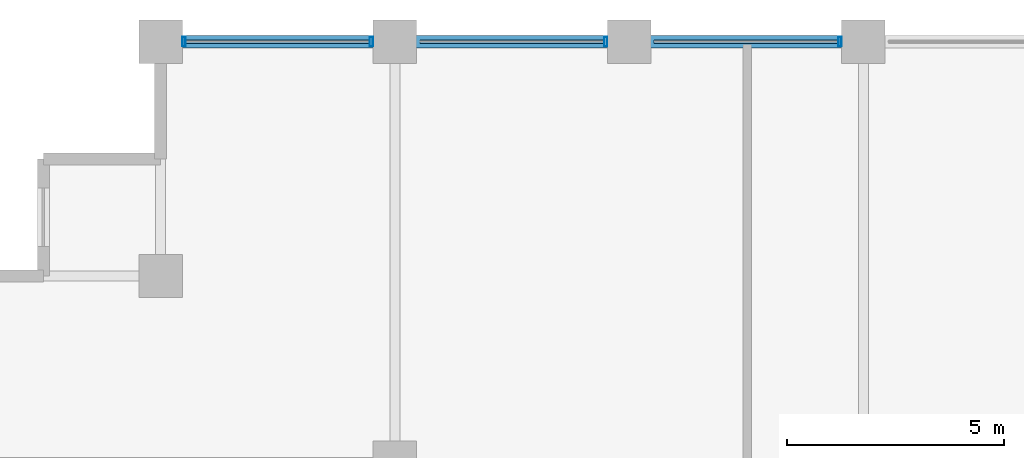
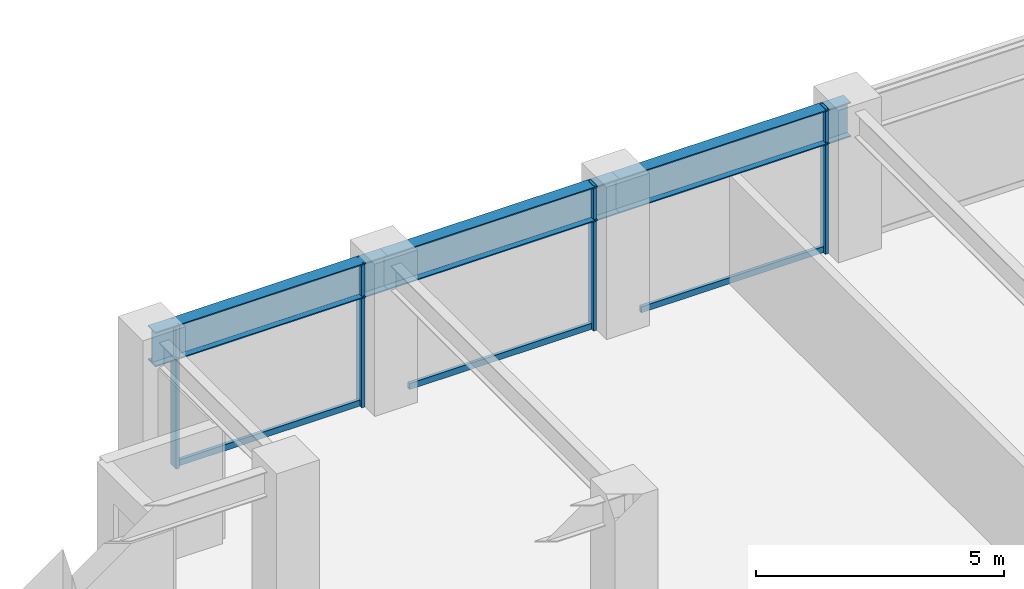
# One storey, part 13 of 26: 7 members, 3 beams, 1 element without a shape of its own.
"""IFC4 building model written with IfcOpenShell, lengths in metres."""

from ifc_helpers import new_model, si_unit, direction, frame, origin, origin_2d, place, context, subcontext, project, spatial, hollow_rectangle, i_section, extrude, material, layer, layer_set, material_profile, profile_set, type_object, element, aggregate, save


model = new_model("IFC4")

# Units and contexts
model_context = context("Model", 3, precision=1e-05, world=origin(), true_north=direction((0.0, 1.0)))
body_context = subcontext(model_context, "Body", "Model", "MODEL_VIEW")
ifc_project = project(units=[si_unit("LENGTHUNIT", "METRE"), si_unit("AREAUNIT", "SQUARE_METRE"), si_unit("VOLUMEUNIT", "CUBIC_METRE"), si_unit("PLANEANGLEUNIT", "RADIAN"), si_unit("MASSUNIT", "GRAM", prefix="KILO")], contexts=[model_context])

# Site, building, storey
site_placement = place(None, origin())
site = spatial("IfcSite", under=ifc_project, at=site_placement, CompositionType="ELEMENT")
building_placement = place(site_placement, origin())
building = spatial("IfcBuilding", under=site, at=building_placement, Name="Surkhivell Harbour Commons", CompositionType="ELEMENT")
storey_placement = place(building_placement, frame((0.0, 0.0, 147.0)))
storey = spatial("IfcBuildingStorey", under=building, at=storey_placement, Name="L38", CompositionType="ELEMENT", Elevation=147.0)

# Beams
ifc_material_1 = material(Name="Steel S460", Category="steel")
ifc_material_profile_1 = material_profile(ifc_material_1, i_section(OverallWidth=0.2939453125, OverallDepth=0.85107421875, WebThickness=0.01611328125, FlangeThickness=0.02685546875, at=origin_2d()), Name="UB838x292x226")
ifc_profile_set_1 = profile_set([ifc_material_profile_1], Name="Steel S460")
beam_type = type_object("IfcBeamType", Name="BM-SPN-838", PredefinedType="SPANDREL", material=ifc_profile_set_1)
beam_1_placement = place(storey_placement, frame((-27.0, 25.89990234375, 3.14453125), z_axis=(1.0, 0.0, 0.0), x_axis=(0.0, 1.0, 0.0)))
element("IfcBeam", 1, at=beam_1_placement, inside=storey, type_object=beam_type, Name="L38 Tube Spandrel (-27.0,25.9)", PredefinedType="SPANDREL", context=body_context, shape_type="SweptSolid", body=[
    extrude(i_section(OverallWidth=0.2939453125, OverallDepth=0.85107421875, WebThickness=0.01611328125, FlangeThickness=0.02685546875, at=origin_2d()), origin(), (0.0, 0.0, 1.0), 5.39990234375),
])
beam_2_placement = place(storey_placement, frame((-21.60009765625, 25.89990234375, 3.14453125), z_axis=(1.0, 0.0, 0.0), x_axis=(0.0, 1.0, 0.0)))
element("IfcBeam", 2, at=beam_2_placement, inside=storey, type_object=beam_type, Name="L38 Tube Spandrel (-21.6,25.9)", PredefinedType="SPANDREL", context=body_context, shape_type="SweptSolid", body=[
    extrude(i_section(OverallWidth=0.2939453125, OverallDepth=0.85107421875, WebThickness=0.01611328125, FlangeThickness=0.02685546875, at=origin_2d()), origin(), (0.0, 0.0, 1.0), 5.400146484375),
])
beam_3_placement = place(storey_placement, frame((-16.199951171875, 25.89990234375, 3.14453125), z_axis=(1.0, 0.0, 0.0), x_axis=(0.0, 1.0, 0.0)))
element("IfcBeam", 3, at=beam_3_placement, inside=storey, type_object=beam_type, Name="L38 Tube Spandrel (-16.2,25.9)", PredefinedType="SPANDREL", context=body_context, shape_type="SweptSolid", body=[
    extrude(i_section(OverallWidth=0.2939453125, OverallDepth=0.85107421875, WebThickness=0.01611328125, FlangeThickness=0.02685546875, at=origin_2d()), origin(), (0.0, 0.0, 1.0), 5.39990234375),
])

# Curtain wall, members
ifc_material_2 = material(Name="Anodised pale-metal aluminium and insulated glazing", Category="aluminium")
ifc_layer = layer(ifc_material_2, 0.205078125)
ifc_layer_set = layer_set([ifc_layer], Name="Anodised pale-metal aluminium and insulated glazing")
curtain_wall_type = type_object("IfcCurtainWallType", Name="CW-SYS-Z2", PredefinedType="NOTDEFINED", material=ifc_layer_set)
curtain_wall_placement = place(storey_placement, origin())
curtain_wall = element("IfcCurtainWall", 4, at=curtain_wall_placement, inside=storey, type_object=curtain_wall_type, Name="L38 Curtain Wall CW-L38-E07S2", PredefinedType="NOTDEFINED")
ifc_material_3 = material(Name="Anodised pale-metal aluminium alloy 6063-T6", Category="aluminium")
ifc_material_profile_2 = material_profile(ifc_material_3, hollow_rectangle(XDim=0.074951171875, YDim=0.219970703125, WallThickness=0.00390625, at=origin_2d()), Name="ALU-MULL-75x220")
ifc_profile_set_2 = profile_set([ifc_material_profile_2], Name="Anodised pale-metal aluminium alloy 6063-T6")
member_type_1 = type_object("IfcMemberType", Name="CWM-220", PredefinedType="MULLION", material=ifc_profile_set_2)
member_1_placement = place(storey_placement, frame((-11.339599609375, 25.89990234375, 0.0), z_axis=(0.0, 0.0, 1.0), x_axis=(-1.0, 0.0, 0.0)))
member_1 = element("IfcMember", 5, at=member_1_placement, type_object=member_type_1, Name="CW-Z2 mullion 2", PredefinedType="MULLION", context=body_context, shape_type="SweptSolid", body=[
    extrude(hollow_rectangle(XDim=0.074951171875, YDim=0.219970703125, WallThickness=0.00390625, at=origin_2d()), origin(), (0.0, 0.0, 1.0), 3.570068359375),
])
member_2_placement = place(storey_placement, frame((-16.739501953125, 25.89990234375, 0.0), z_axis=(0.0, 0.0, 1.0), x_axis=(-1.0, 0.0, 0.0)))
member_2 = element("IfcMember", 6, at=member_2_placement, type_object=member_type_1, Name="CW-Z2 mullion 3", PredefinedType="MULLION", context=body_context, shape_type="SweptSolid", body=[
    extrude(hollow_rectangle(XDim=0.074951171875, YDim=0.219970703125, WallThickness=0.00390625, at=origin_2d()), origin(), (0.0, 0.0, 1.0), 3.570068359375),
])
member_3_placement = place(storey_placement, frame((-22.139404296875, 25.89990234375, 0.0), z_axis=(0.0, 0.0, 1.0), x_axis=(-1.0, 0.0, 0.0)))
member_3 = element("IfcMember", 7, at=member_3_placement, type_object=member_type_1, Name="CW-Z2 mullion 4", PredefinedType="MULLION", context=body_context, shape_type="SweptSolid", body=[
    extrude(hollow_rectangle(XDim=0.074951171875, YDim=0.219970703125, WallThickness=0.00390625, at=origin_2d()), origin(), (0.0, 0.0, 1.0), 3.570068359375),
])
member_4_placement = place(storey_placement, frame((-26.46044921875, 25.89990234375, 0.0), z_axis=(0.0, 0.0, 1.0), x_axis=(-1.0, 0.0, 0.0)))
member_4 = element("IfcMember", 8, at=member_4_placement, type_object=member_type_1, Name="CW-Z2 mullion 5", PredefinedType="MULLION", context=body_context, shape_type="SweptSolid", body=[
    extrude(hollow_rectangle(XDim=0.074951171875, YDim=0.219970703125, WallThickness=0.00390625, at=origin_2d()), origin(), (0.0, 0.0, 1.0), 3.570068359375),
])
ifc_material_profile_3 = material_profile(ifc_material_3, hollow_rectangle(XDim=0.074951171875, YDim=0.14990234375, WallThickness=0.00341796875, at=origin_2d()), Name="ALU-TRAN-75x150")
ifc_profile_set_3 = profile_set([ifc_material_profile_3], Name="Anodised pale-metal aluminium alloy 6063-T6")
member_type_2 = type_object("IfcMemberType", Name="CWT-150", PredefinedType="USERDEFINED", material=ifc_profile_set_3)
member_5_placement = place(storey_placement, frame((-11.376953125, 25.89990234375, 0.074951171875), z_axis=(-1.0, 0.0, 0.0), x_axis=(0.0, -1.0, 0.0)))
member_5 = element("IfcMember", 9, at=member_5_placement, type_object=member_type_2, Name="CW-Z2 transom 2.1", ObjectType="TRANSOM", PredefinedType="USERDEFINED", context=body_context, shape_type="SweptSolid", body=[
    extrude(hollow_rectangle(XDim=0.074951171875, YDim=0.14990234375, WallThickness=0.00341796875, at=origin_2d()), origin(), (0.0, 0.0, 1.0), 4.24609375),
])
member_6_placement = place(storey_placement, frame((-16.777099609375, 25.89990234375, 0.074951171875), z_axis=(-1.0, 0.0, 0.0), x_axis=(0.0, -1.0, 0.0)))
member_6 = element("IfcMember", 10, at=member_6_placement, type_object=member_type_2, Name="CW-Z2 transom 3.1", ObjectType="TRANSOM", PredefinedType="USERDEFINED", context=body_context, shape_type="SweptSolid", body=[
    extrude(hollow_rectangle(XDim=0.074951171875, YDim=0.14990234375, WallThickness=0.00341796875, at=origin_2d()), origin(), (0.0, 0.0, 1.0), 4.245849609375),
])
member_7_placement = place(storey_placement, frame((-22.177001953125, 25.89990234375, 0.074951171875), z_axis=(-1.0, 0.0, 0.0), x_axis=(0.0, -1.0, 0.0)))
member_7 = element("IfcMember", 11, at=member_7_placement, type_object=member_type_2, Name="CW-Z2 transom 4.1", ObjectType="TRANSOM", PredefinedType="USERDEFINED", context=body_context, shape_type="SweptSolid", body=[
    extrude(hollow_rectangle(XDim=0.074951171875, YDim=0.14990234375, WallThickness=0.00341796875, at=origin_2d()), origin(), (0.0, 0.0, 1.0), 4.24609375),
])
aggregate(curtain_wall, [member_1, member_5, member_2, member_6, member_3, member_4, member_7])

save(model, "model.ifc")
